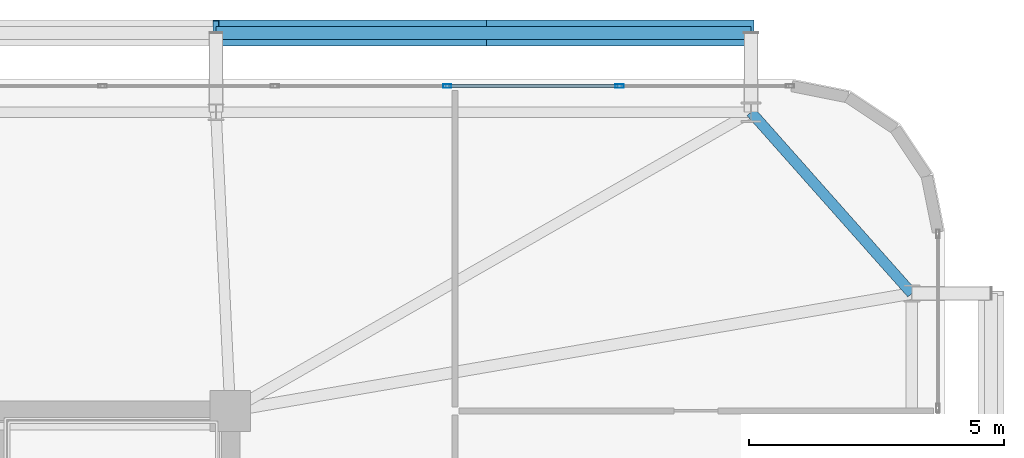
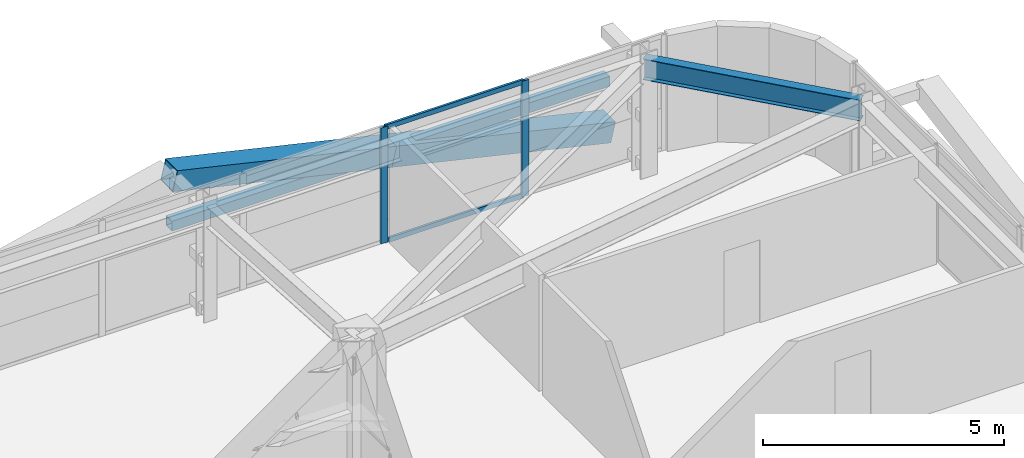
# One storey, part 40 of 58: 7 members, 1 beam, 1 element without a shape of its own.
"""IFC4 building model written with IfcOpenShell, lengths in metres."""

import ifcopenshell
import ifcopenshell.guid

model = None  # the IFC model being written
_history = None  # IfcOwnerHistory: only IFC2X3 demands one
_inside = {}  # id of a spatial element -> (the spatial element, [elements in it])
_under = {}  # id of a project, library or spatial element -> (it, [spatial elements below it])
_declared = {}  # id of a project -> (the project, [libraries it declares])
_typed = {}  # id of a type object -> (the type object, [elements of that type])
_made_of = {}  # id of a material, layer set ... -> (it, [elements and type objects made of it])


def new_model(schema):
    """Start an empty IFC model of exactly this schema.

    Asked for "IFC4X3", IfcOpenShell would pick the latest addendum, in which some entities
    have other attributes; the version numbers below select the first issue.
    IFC2X3 requires an IfcOwnerHistory on every rooted entity: one is made here for all.
    """
    global model, _history
    if schema == "IFC4X3":
        model = ifcopenshell.file(schema_version=(4, 3, 0, 0))
    else:
        model = ifcopenshell.file(schema=schema)
    _inside.clear()
    _under.clear()
    _declared.clear()
    _typed.clear()
    _made_of.clear()
    _history = None
    if model.schema == "IFC2X3":
        org = make("IfcOrganization", Name="unknown")
        user = make(
            "IfcPersonAndOrganization",
            ThePerson=make("IfcPerson", FamilyName="unknown"),
            TheOrganization=org,
        )
        app = make(
            "IfcApplication",
            ApplicationDeveloper=org,
            Version="unknown",
            ApplicationFullName="unknown",
            ApplicationIdentifier="unknown",
        )
        _history = make(
            "IfcOwnerHistory",
            OwningUser=user,
            OwningApplication=app,
            ChangeAction="ADDED",
            CreationDate=0,
        )
    return model


def make(cls, **values):
    """One entity of the class cls with the attributes given. An attribute that is None is left unset."""
    return model.create_entity(
        cls, **{name: value for name, value in values.items() if value is not None}
    )


def rooted(cls, **values):
    """An entity with a GlobalId (a new one), such as an element, a storey or a relation."""
    return make(cls, GlobalId=ifcopenshell.guid.new(), OwnerHistory=_history, **values)


def si_unit(unit_type, name, prefix=None):
    """IfcSIUnit, for example si_unit("LENGTHUNIT", "METRE", prefix="MILLI")."""
    return make("IfcSIUnit", UnitType=unit_type, Prefix=prefix, Name=name)


def assignment(units):
    """IfcUnitAssignment: the units of a project."""
    return None if units is None else make("IfcUnitAssignment", Units=units)


def point(xyz):
    """IfcCartesianPoint."""
    return None if xyz is None else make("IfcCartesianPoint", Coordinates=xyz)


def direction(xyz):
    """IfcDirection."""
    return None if xyz is None else make("IfcDirection", DirectionRatios=xyz)


def frame(location, z_axis=None, x_axis=None):
    """IfcAxis2Placement3D, a coordinate frame: its origin and axes. An axis left out is left unset."""
    return make(
        "IfcAxis2Placement3D",
        Location=point(location),
        Axis=direction(z_axis),
        RefDirection=direction(x_axis),
    )


def frame_2d(location, x_axis=None):
    """IfcAxis2Placement2D, a coordinate frame in the plane: its origin and x axis."""
    return make(
        "IfcAxis2Placement2D", Location=point(location), RefDirection=direction(x_axis)
    )


def origin():
    """The frame at (0, 0, 0) with its axes left unset."""
    return frame((0.0, 0.0, 0.0))


def origin_2d():
    """The frame at (0, 0) in the plane with its x axis left unset."""
    return frame_2d((0.0, 0.0))


def place(relative_to, where):
    """IfcLocalPlacement: puts the frame where relative to a parent placement (None: the world)."""
    return make(
        "IfcLocalPlacement", PlacementRelTo=relative_to, RelativePlacement=where
    )


def context(
    kind, dimensions, precision=None, world=None, true_north=None, identifier=None
):
    """IfcGeometricRepresentationContext, for example the 3D "Model" context."""
    return make(
        "IfcGeometricRepresentationContext",
        ContextIdentifier=identifier,
        ContextType=kind,
        CoordinateSpaceDimension=dimensions,
        Precision=precision,
        WorldCoordinateSystem=world,
        TrueNorth=true_north,
    )


def subcontext(parent, identifier, kind, view, scale=None):
    """IfcGeometricRepresentationSubContext, for example "Body" below "Model"."""
    return make(
        "IfcGeometricRepresentationSubContext",
        ContextIdentifier=identifier,
        ContextType=kind,
        ParentContext=parent,
        TargetScale=scale,
        TargetView=view,
    )


def project(units=None, contexts=None):
    """IfcProject with its units and contexts."""
    return rooted(
        "IfcProject",
        Name="project",
        RepresentationContexts=contexts,
        UnitsInContext=assignment(units),
    )


def spatial(cls, under=None, at=None, **own):
    """A site, building, storey or space (cls), placed at a placement, below another one or the project."""
    s = rooted(cls, ObjectPlacement=at, **own)
    if under is not None:
        _under.setdefault(under.id(), (under, []))[1].append(s)
    return s


def profile(cls, at=None, kind="AREA", **sizes):
    """A parametric profile (cls). Its sizes go by their IFC names, for example OverallWidth=200.0."""
    return make(cls, ProfileType=kind, Position=at, **sizes)


def hollow_rectangle(**sizes):
    """IfcRectangleHollowProfileDef."""
    return profile("IfcRectangleHollowProfileDef", **sizes)


def i_section(**sizes):
    """IfcIShapeProfileDef."""
    return profile("IfcIShapeProfileDef", **sizes)


def extrude(swept, where, along, depth):
    """IfcExtrudedAreaSolid: the profile swept, set in the frame where, extruded along a direction by depth."""
    return make(
        "IfcExtrudedAreaSolid",
        SweptArea=swept,
        Position=where,
        ExtrudedDirection=direction(along),
        Depth=depth,
    )


def shape(context_of_items, identifier, shape_type, items):
    """IfcShapeRepresentation: the items that make up one representation, for example the "Body"."""
    return make(
        "IfcShapeRepresentation",
        ContextOfItems=context_of_items,
        RepresentationIdentifier=identifier,
        RepresentationType=shape_type,
        Items=items,
    )


def source(mapping_origin, context_of_items, identifier, shape_type, items):
    """IfcRepresentationMap: a shape defined once, which mapped items show again and again."""
    return make(
        "IfcRepresentationMap",
        MappingOrigin=mapping_origin,
        MappedRepresentation=shape(context_of_items, identifier, shape_type, items),
    )


def transform(
    local_origin,
    x_axis=None,
    y_axis=None,
    z_axis=None,
    scale=None,
    scale2=None,
    scale3=None,
    uniform=True,
):
    """IfcCartesianTransformationOperator3D, or its non-uniform kind. x_axis, y_axis, z_axis: its Axis1, 2, 3."""
    if uniform:
        return make(
            "IfcCartesianTransformationOperator3D",
            Axis1=direction(x_axis),
            Axis2=direction(y_axis),
            LocalOrigin=point(local_origin),
            Scale=scale,
            Axis3=direction(z_axis),
        )
    return make(
        "IfcCartesianTransformationOperator3DnonUniform",
        Axis1=direction(x_axis),
        Axis2=direction(y_axis),
        LocalOrigin=point(local_origin),
        Scale=scale,
        Axis3=direction(z_axis),
        Scale2=scale2,
        Scale3=scale3,
    )


def mapped(mapping_source, mapping_target):
    """IfcMappedItem: shows the shape of a source again, moved by a transform."""
    return make(
        "IfcMappedItem", MappingSource=mapping_source, MappingTarget=mapping_target
    )


def material(Name=None, Category=None):
    """IfcMaterial."""
    return make("IfcMaterial", Name=Name, Category=Category)


def layer(
    of_material, thickness, ventilated=None, Name=None, Category=None, Priority=None
):
    """IfcMaterialLayer: one layer of a wall or slab, of a material (None: an air gap)."""
    return make(
        "IfcMaterialLayer",
        Material=of_material,
        LayerThickness=thickness,
        IsVentilated=ventilated,
        Name=Name,
        Category=Category,
        Priority=Priority,
    )


def layer_set(layers, Name=None):
    """IfcMaterialLayerSet."""
    return make("IfcMaterialLayerSet", MaterialLayers=layers, LayerSetName=Name)


def material_profile(
    of_material, cross_section, Name=None, Category=None, Priority=None
):
    """IfcMaterialProfile: a cross section and its material."""
    return make(
        "IfcMaterialProfile",
        Name=Name,
        Material=of_material,
        Profile=cross_section,
        Priority=Priority,
        Category=Category,
    )


def profile_set(profiles, Name=None, composite=None):
    """IfcMaterialProfileSet."""
    return make(
        "IfcMaterialProfileSet",
        Name=Name,
        MaterialProfiles=profiles,
        CompositeProfile=composite,
    )


def made_of(thing, what):
    """Note that an element or type object is made of a material, layer set ...; save() writes the relation."""
    if what is not None:
        _made_of.setdefault(what.id(), (what, []))[1].append(thing)
    return thing


def type_object(cls, material=None, **own):
    """A type object (cls), such as IfcWallType, which elements share."""
    return made_of(rooted(cls, **own), material)


def element(
    cls,
    number,
    at=None,
    inside=None,
    cuts=None,
    type_object=None,
    material=None,
    context=None,
    identifier="Body",
    shape_type=None,
    held_by="IfcProductDefinitionShape",
    body=None,
    shapes=None,
    **own,
):
    """One element of the class cls, such as IfcWall. Its Tag is "e" and its number.

    at: its placement. inside: the storey or other place that contains it. cuts: it is an
    opening in that element (IfcRelVoidsElement). A single representation is given by context,
    identifier, shape_type and body (its items); several are given by shapes. held_by: the class
    of the entity that holds the representations. save() writes the other relations.
    """
    e = rooted(cls, Tag="e%d" % number, ObjectPlacement=at, **own)
    if body is not None:
        shapes = [shape(context, identifier, shape_type, body)]
    if shapes is not None:
        e.Representation = make(held_by, Representations=shapes)
    if inside is not None:
        _inside.setdefault(inside.id(), (inside, []))[1].append(e)
    if cuts is not None:
        rooted(
            "IfcRelVoidsElement", RelatingBuildingElement=cuts, RelatedOpeningElement=e
        )
    if type_object is not None:
        _typed.setdefault(type_object.id(), (type_object, []))[1].append(e)
    return made_of(e, material)


def aggregate(whole, parts):
    """IfcRelAggregates: a whole, such as a stair, and the parts it consists of."""
    return rooted("IfcRelAggregates", RelatingObject=whole, RelatedObjects=parts)


def save(model, path):
    """Write the relations noted so far, then the file.

    IfcRelAggregates (storeys below a building ...), IfcRelContainedInSpatialStructure (elements
    in a storey), IfcRelDefinesByType, IfcRelAssociatesMaterial and IfcRelDeclares: one each for
    every whole, place, type object, material and project.
    """
    for whole, parts in _under.values():
        aggregate(whole, parts)
    for where, things in _inside.values():
        rooted(
            "IfcRelContainedInSpatialStructure",
            RelatedElements=things,
            RelatingStructure=where,
        )
    for kind, things in _typed.values():
        rooted("IfcRelDefinesByType", RelatedObjects=things, RelatingType=kind)
    for what, things in _made_of.values():
        rooted("IfcRelAssociatesMaterial", RelatedObjects=things, RelatingMaterial=what)
    for by, libraries in _declared.values():
        rooted("IfcRelDeclares", RelatingContext=by, RelatedDefinitions=libraries)
    model.write(path)


model = new_model("IFC4")

# Units and contexts
model_context = context("Model", 3, precision=1e-05, world=origin(), true_north=direction((0.0, 1.0)))
body_context = subcontext(model_context, "Body", "Model", "MODEL_VIEW")
ifc_project = project(units=[si_unit("LENGTHUNIT", "METRE"), si_unit("AREAUNIT", "SQUARE_METRE"), si_unit("VOLUMEUNIT", "CUBIC_METRE"), si_unit("PLANEANGLEUNIT", "RADIAN"), si_unit("MASSUNIT", "GRAM", prefix="KILO")], contexts=[model_context])

# Site, building, storey
site_placement = place(None, origin())
site = spatial("IfcSite", under=ifc_project, at=site_placement, CompositionType="ELEMENT")
building_placement = place(site_placement, origin())
building = spatial("IfcBuilding", under=site, at=building_placement, Name="Taldren Reach Tower", CompositionType="ELEMENT")
storey_placement = place(building_placement, frame((0.0, 0.0, 51.449951171875)))
storey = spatial("IfcBuildingStorey", under=building, at=storey_placement, Name="L15", CompositionType="ELEMENT", Elevation=51.449951171875)

# Beam
ifc_material_1 = material(Name="Steel Gr 350 (350PLUS)", Category="steel")
ifc_material_profile_1 = material_profile(ifc_material_1, i_section(OverallWidth=0.208984375, OverallDepth=0.528076171875, WebThickness=0.009521484375, FlangeThickness=0.01318359375, at=origin_2d()), Name="530UB82.0")
ifc_profile_set_1 = profile_set([ifc_material_profile_1], Name="Steel Gr 350 (350PLUS)")
beam_type = type_object("IfcBeamType", Name="SP-UB530B", PredefinedType="SPANDREL", material=ifc_profile_set_1)
shared_shape_1 = source(origin(), body_context, "Body", "SweptSolid", [
    extrude(i_section(OverallWidth=0.208984375, OverallDepth=0.528076171875, WebThickness=0.009521484375, FlangeThickness=0.01318359375, at=origin_2d()), origin(), (0.0, 0.0, 1.0), 4.74609375),
])
beam_placement = place(storey_placement, frame((64.35009765625, 34.300048828125, 2.666015625), z_axis=(-0.663721843779, 0.747979487747, 0.0), x_axis=(-0.747979487747, -0.663721843779, 0.0)))
element("IfcBeam", 1, at=beam_placement, inside=storey, type_object=beam_type, Name="Perimeter spandrel B1 E3-N6 L15", PredefinedType="SPANDREL", context=body_context, shape_type="MappedRepresentation", body=[
    mapped(shared_shape_1, transform((0.0, 0.0, 0.0), scale=1.0)),
])

# Members
ifc_material_2 = material(Name="Steel Gr 450 (C450L0)", Category="steel")
ifc_material_profile_2 = material_profile(ifc_material_2, hollow_rectangle(XDim=0.510009765625, YDim=0.510009765625, WallThickness=0.02001953125, at=origin_2d()), Name="510x510x20.0SHS")
ifc_profile_set_2 = profile_set([ifc_material_profile_2], Name="Steel Gr 450 (C450L0)")
member_type_1 = type_object("IfcMemberType", Name="MB-EXO508", PredefinedType="BRACE", material=ifc_profile_set_2)
shared_shape_2 = source(origin(), body_context, "Body", "SweptSolid", [
    extrude(hollow_rectangle(XDim=0.510009765625, YDim=0.510009765625, WallThickness=0.02001953125, at=origin_2d()), origin(), (0.0, 0.0, 1.0), 5.37890625),
])
for number, where, z_axis, x_axis, name in (
    (2, (61.199951171875, 39.39990234375, 0.219970703125), (-0.97415197996, 0.0, 0.225893603143), (0.0, -1.0, 0.0), "Exoskeleton Diagrid Brace B1-N5 L15"),
    (3, (55.9599609375, 39.39990234375, 1.43505859375), (-0.97415197996, 0.0, 0.225893603143), (0.0, -1.0, 0.0), "Exoskeleton Diagrid Brace B1-N5 L15"),
):
    element("IfcMember", number, at=place(storey_placement, frame(where, z_axis=z_axis, x_axis=x_axis)), inside=storey, type_object=member_type_1, Name=name, PredefinedType="BRACE", context=body_context, shape_type="MappedRepresentation", body=[
        mapped(shared_shape_2, transform((0.0, 0.0, 0.0), scale=1.0)),
    ])
ifc_material_3 = material(Name="Steel Gr 350 (C350L0)", Category="steel")
ifc_material_profile_3 = material_profile(ifc_material_3, hollow_rectangle(XDim=0.25, YDim=0.25, WallThickness=0.010009765625, at=origin_2d()), Name="250x250x10.0SHS")
ifc_profile_set_3 = profile_set([ifc_material_profile_3], Name="Steel Gr 350 (C350L0)")
member_type_2 = type_object("IfcMemberType", Name="MB-POST250", PredefinedType="POST", material=ifc_profile_set_3)
shared_shape_3 = source(origin(), body_context, "Body", "SweptSolid", [
    extrude(hollow_rectangle(XDim=0.25, YDim=0.25, WallThickness=0.010009765625, at=origin_2d()), origin(), (0.0, 0.0, 1.0), 10.47998046875),
])
member_1_placement = place(storey_placement, frame((50.719970703125, 39.39990234375, 1.43505859375), z_axis=(1.0, 0.0, 0.0), x_axis=(0.0, 1.0, 0.0)))
element("IfcMember", 4, at=member_1_placement, inside=storey, type_object=member_type_2, Name="Exoskeleton mid-height ring chord B1-N5 L15", PredefinedType="POST", context=body_context, shape_type="MappedRepresentation", body=[
    mapped(shared_shape_3, transform((0.0, 0.0, 0.0), scale=1.0)),
])

# Curtain wall, members
ifc_material_4 = material(Name="Aluminium and Low-E Glass Unitised System", Category="aluminium")
ifc_layer = layer(ifc_material_4, 0.159912109375)
ifc_layer_set = layer_set([ifc_layer], Name="Aluminium and Low-E Glass Unitised System")
curtain_wall_type = type_object("IfcCurtainWallType", Name="CW-SYS-2", PredefinedType="NOTDEFINED", material=ifc_layer_set)
curtain_wall_placement = place(storey_placement, origin())
curtain_wall = element("IfcCurtainWall", 5, at=curtain_wall_placement, inside=storey, type_object=curtain_wall_type, Name="Unitised curtain wall CW-L15-N", PredefinedType="NOTDEFINED")
ifc_material_5 = material(Name="Anodised Aluminium 6063-T6", Category="aluminium")
ifc_material_profile_4 = material_profile(ifc_material_5, hollow_rectangle(XDim=0.06494140625, YDim=0.1650390625, WallThickness=0.00390625, at=origin_2d()), Name="ALU-165x65x4RHS")
ifc_profile_set_4 = profile_set([ifc_material_profile_4], Name="Anodised Aluminium 6063-T6")
member_type_3 = type_object("IfcMemberType", Name="CW-MUL-165", PredefinedType="MULLION", material=ifc_profile_set_4)
shared_shape_4 = source(origin(), body_context, "Body", "SweptSolid", [
    extrude(hollow_rectangle(XDim=0.06494140625, YDim=0.1650390625, WallThickness=0.00390625, at=origin_2d()), origin(), (0.0, 0.0, 1.0), 2.929931640625),
])
member_2_placement = place(storey_placement, frame((58.625, 38.360107421875, 0.0), z_axis=(0.0, 0.0, 1.0), x_axis=(0.0, -1.0, 0.0)))
member_2 = element("IfcMember", 6, at=member_2_placement, type_object=member_type_3, Name="CW-2 mullion 2", PredefinedType="MULLION", context=body_context, shape_type="MappedRepresentation", body=[
    mapped(shared_shape_4, transform((0.0, 0.0, 0.0), scale=1.0)),
])
member_3_placement = place(storey_placement, frame((55.25, 38.360107421875, 0.0), z_axis=(0.0, 0.0, 1.0), x_axis=(0.0, -1.0, 0.0)))
member_3 = element("IfcMember", 7, at=member_3_placement, type_object=member_type_3, Name="CW-2 mullion 3", PredefinedType="MULLION", context=body_context, shape_type="MappedRepresentation", body=[
    mapped(shared_shape_4, transform((0.0, 0.0, 0.0), scale=1.0)),
])
ifc_material_profile_5 = material_profile(ifc_material_5, hollow_rectangle(XDim=0.054931640625, YDim=0.1201171875, WallThickness=0.0029296875, at=origin_2d()), Name="ALU-120x55x3RHS")
ifc_profile_set_5 = profile_set([ifc_material_profile_5], Name="Anodised Aluminium 6063-T6")
member_type_4 = type_object("IfcMemberType", Name="CW-TRN-135", PredefinedType="USERDEFINED", material=ifc_profile_set_5)
shared_shape_5 = source(origin(), body_context, "Body", "SweptSolid", [
    extrude(hollow_rectangle(XDim=0.054931640625, YDim=0.1201171875, WallThickness=0.0029296875, at=origin_2d()), origin(), (0.0, 0.0, 1.0), 3.31005859375),
])
member_4_placement = place(storey_placement, frame((58.592529296875, 38.360107421875, 0.027587890625), z_axis=(-1.0, 0.0, 0.0), x_axis=(0.0, -1.0, 0.0)))
member_4 = element("IfcMember", 8, at=member_4_placement, type_object=member_type_4, Name="CW-2 transom 2.1", ObjectType="TRANSOM", PredefinedType="USERDEFINED", context=body_context, shape_type="MappedRepresentation", body=[
    mapped(shared_shape_5, transform((0.0, 0.0, 0.0), scale=1.0)),
])
member_5_placement = place(storey_placement, frame((58.592529296875, 38.360107421875, 2.902587890625), z_axis=(-1.0, 0.0, 0.0), x_axis=(0.0, -1.0, 0.0)))
member_5 = element("IfcMember", 9, at=member_5_placement, type_object=member_type_4, Name="CW-2 transom 2.2", ObjectType="TRANSOM", PredefinedType="USERDEFINED", context=body_context, shape_type="MappedRepresentation", body=[
    mapped(shared_shape_5, transform((0.0, 0.0, 0.0), scale=1.0)),
])
aggregate(curtain_wall, [member_2, member_3, member_4, member_5])

save(model, "model.ifc")
